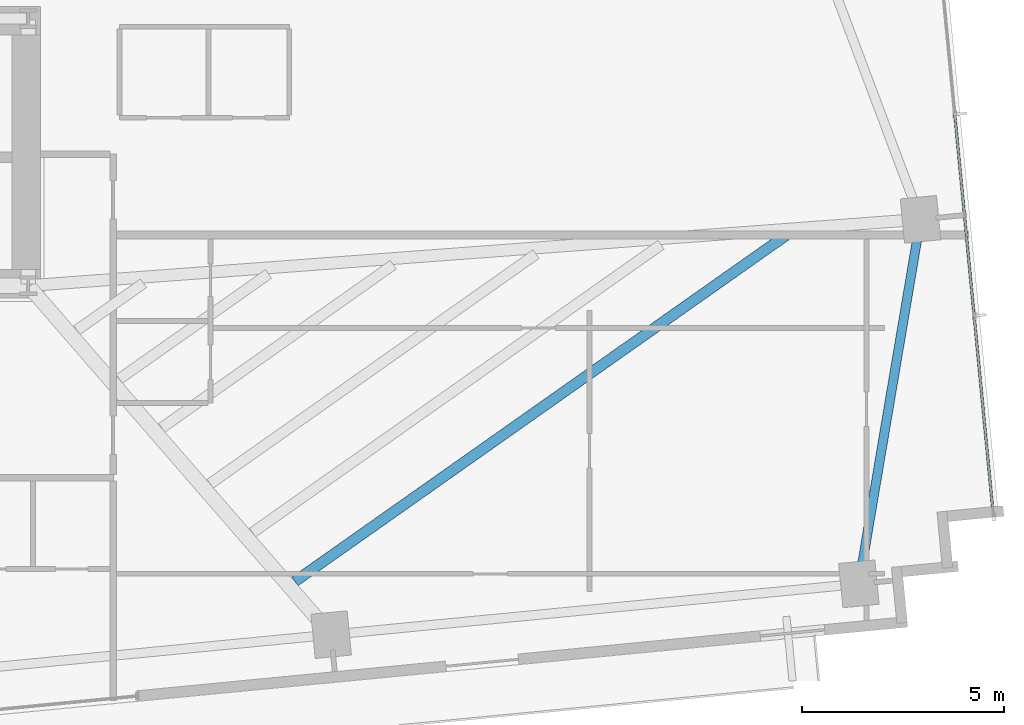
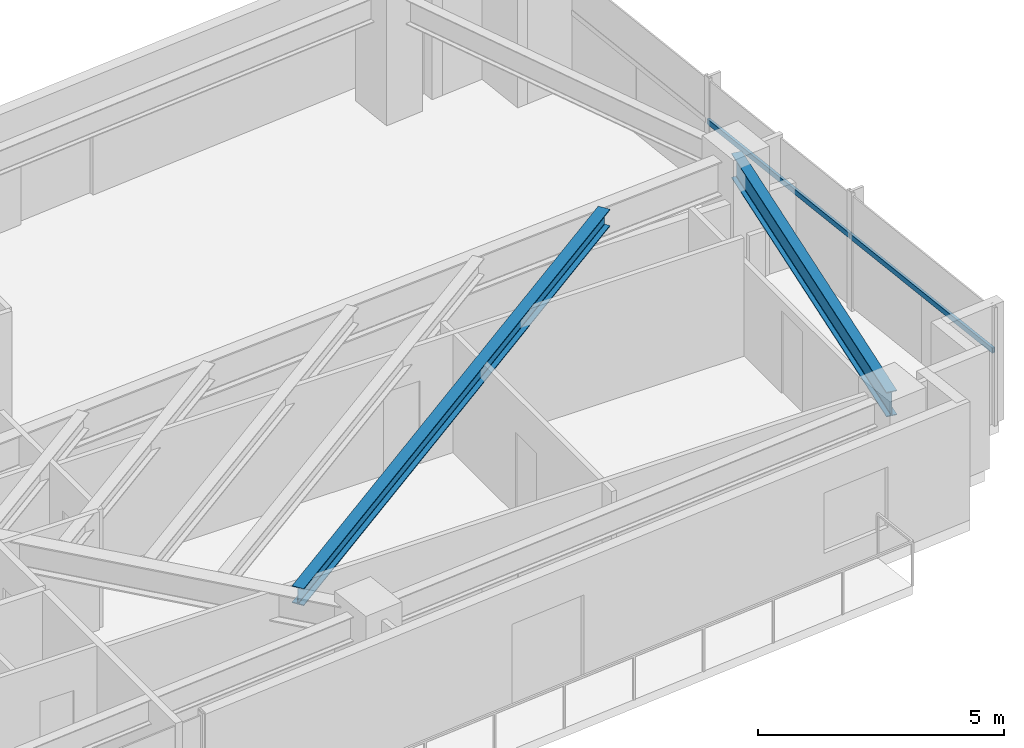
# One storey, part 15 of 27: 2 beams, 2 members, 1 element without a shape of its own.
"""IFC4 building model written with IfcOpenShell, lengths in metres."""

from ifc_helpers import new_model, si_unit, direction, frame, origin, origin_2d, place, context, subcontext, project, spatial, hollow_rectangle, i_section, extrude, source, transform, mapped, material, material_profile, profile_set, type_object, type_shapes, element, aggregate, save


model = new_model("IFC4")

# Units and contexts
model_context = context("Model", 3, precision=1e-05, world=origin(), true_north=direction((0.0, 1.0)))
body_context = subcontext(model_context, "Body", "Model", "MODEL_VIEW")
ifc_project = project(units=[si_unit("LENGTHUNIT", "METRE"), si_unit("AREAUNIT", "SQUARE_METRE"), si_unit("VOLUMEUNIT", "CUBIC_METRE"), si_unit("PLANEANGLEUNIT", "RADIAN"), si_unit("MASSUNIT", "GRAM", prefix="KILO")], contexts=[model_context])

# Site, building, storey
site_placement = place(None, origin())
site = spatial("IfcSite", under=ifc_project, at=site_placement, CompositionType="ELEMENT")
building_placement = place(site_placement, origin())
building = spatial("IfcBuilding", under=site, at=building_placement, Name="Astriad Promenade Condominiums", CompositionType="ELEMENT")
storey_placement = place(building_placement, frame((0.0, 0.0, 113.0)))
storey = spatial("IfcBuildingStorey", under=building, at=storey_placement, Name="L32", CompositionType="ELEMENT", Elevation=113.0)

# Beams
ifc_material_1 = material(Name="Steel ASTM A992 Grade 50", Category="steel")
ifc_material_profile_1 = material_profile(ifc_material_1, i_section(OverallWidth=0.22900390625, OverallDepth=0.612060546875, WebThickness=0.011962890625, FlangeThickness=0.01953125, FilletRadius=0.017822265625, at=origin_2d()), Name="W24X84")
ifc_profile_set_1 = profile_set([ifc_material_profile_1], Name="Steel ASTM A992 Grade 50")
beam_type_1 = type_object("IfcBeamType", Name="STEEL SPANDREL BEAM W24X84", PredefinedType="SPANDREL", material=ifc_profile_set_1)
shared_shape_1 = source(origin(), body_context, "Body", "SweptSolid", [
    extrude(i_section(OverallWidth=0.22900390625, OverallDepth=0.612060546875, WebThickness=0.011962890625, FlangeThickness=0.01953125, FilletRadius=0.017822265625, at=origin_2d()), origin(), (0.0, 0.0, 1.0), 9.055419921875),
])
type_shapes(beam_type_1, [shared_shape_1])
beam_1_placement = place(storey_placement, frame((66.13134765625, 10.0712890625, 2.6337890625), z_axis=(0.166776851291, 0.98599466625, 0.0), x_axis=(-0.98599466625, 0.166776851291, 0.0)))
element("IfcBeam", 1, at=beam_1_placement, inside=storey, type_object=beam_type_1, Name="Perimeter Spandrel Beam SP-E1-L32", PredefinedType="SPANDREL", context=body_context, shape_type="MappedRepresentation", body=[
    mapped(shared_shape_1, transform((0.0, 0.0, 0.0), scale=1.0)),
])
ifc_material_profile_2 = material_profile(ifc_material_1, i_section(OverallWidth=0.26318359375, OverallDepth=0.425537109375, WebThickness=0.01318359375, FlangeThickness=0.022216796875, FilletRadius=0.013916015625, at=origin_2d()), Name="W16X89")
ifc_profile_set_2 = profile_set([ifc_material_profile_2], Name="Steel ASTM A992 Grade 50")
beam_type_2 = type_object("IfcBeamType", Name="STEEL FLOOR JOIST W16X89", PredefinedType="JOIST", material=ifc_profile_set_2)
shared_shape_2 = source(origin(), body_context, "Body", "SweptSolid", [
    extrude(i_section(OverallWidth=0.26318359375, OverallDepth=0.425537109375, WebThickness=0.01318359375, FlangeThickness=0.022216796875, FilletRadius=0.013916015625, at=origin_2d()), origin(), (0.0, 0.0, 1.0), 14.838134765625),
])
type_shapes(beam_type_2, [shared_shape_2])
beam_2_placement = place(storey_placement, frame((52.192138671875, 10.093017578125, 2.727294921875), z_axis=(0.817419044294, 0.576043493171, 0.0), x_axis=(-0.576043493171, 0.817419044294, 0.0)))
element("IfcBeam", 2, at=beam_2_placement, inside=storey, type_object=beam_type_2, Name="Secondary Composite Floor Joist JE1-1-L32", PredefinedType="JOIST", context=body_context, shape_type="MappedRepresentation", body=[
    mapped(shared_shape_2, transform((0.0, 0.0, 0.0), scale=1.0)),
])

# Curtain wall, members
ifc_material_2 = material(Name="Anodised aluminium Black Dark Glass Unitised", Category="aluminium")
curtain_wall_type = type_object("IfcCurtainWallType", Name="CW-B2-DARK", PredefinedType="USERDEFINED", material=ifc_material_2)
curtain_wall_placement = place(storey_placement, origin())
curtain_wall = element("IfcCurtainWall", 3, at=curtain_wall_placement, inside=storey, type_object=curtain_wall_type, Name="CW-L32-E", ObjectType="UNITISED_CURTAIN_WALL", PredefinedType="USERDEFINED")
ifc_material_3 = material(Name="Anodised aluminium 6063-T6 Black", Category="aluminium")
ifc_material_profile_3 = material_profile(ifc_material_3, hollow_rectangle(XDim=0.06494140625, YDim=0.1298828125, WallThickness=0.00390625, at=origin_2d()), Name="ALU-TRN-65X130")
ifc_profile_set_3 = profile_set([ifc_material_profile_3], Name="Anodised aluminium 6063-T6 Black")
member_type = type_object("IfcMemberType", Name="TRN-ALU-TRN-65X130", PredefinedType="USERDEFINED", material=ifc_profile_set_3)
shared_shape_3 = source(origin(), body_context, "Body", "SweptSolid", [
    extrude(hollow_rectangle(XDim=0.06494140625, YDim=0.1298828125, WallThickness=0.00390625, at=origin_2d()), origin(), (0.0, 0.0, 1.0), 5.0),
])
member_1_placement = place(storey_placement, frame((68.972900390625, 16.6552734375, 1.82275390625), z_axis=(0.095848242264, -0.995395958629, 0.0), x_axis=(0.995395958629, 0.095848242264, 0.0)))
member_1 = element("IfcMember", 4, at=member_1_placement, type_object=member_type, Name="CW-L32-E-TRN-02-0", ObjectType="TRANSOM", PredefinedType="USERDEFINED", context=body_context, shape_type="MappedRepresentation", body=[
    mapped(shared_shape_3, transform((0.0, 0.0, 0.0), scale=1.0)),
])
shared_shape_4 = source(origin(), body_context, "Body", "SweptSolid", [
    extrude(hollow_rectangle(XDim=0.06494140625, YDim=0.1298828125, WallThickness=0.00390625, at=origin_2d()), origin(), (0.0, 0.0, 1.0), 4.999755859375),
])
type_shapes(member_type, [shared_shape_3, shared_shape_4])
member_2_placement = place(storey_placement, frame((68.493896484375, 21.632080078125, 1.82275390625), z_axis=(0.095804519461, -0.995400167797, 0.0), x_axis=(0.995400167797, 0.095804519461, 0.0)))
member_2 = element("IfcMember", 5, at=member_2_placement, type_object=member_type, Name="CW-L32-E-TRN-01-0", ObjectType="TRANSOM", PredefinedType="USERDEFINED", context=body_context, shape_type="MappedRepresentation", body=[
    mapped(shared_shape_4, transform((0.0, 0.0, 0.0), scale=1.0)),
])
aggregate(curtain_wall, [member_2, member_1])

save(model, "model.ifc")
